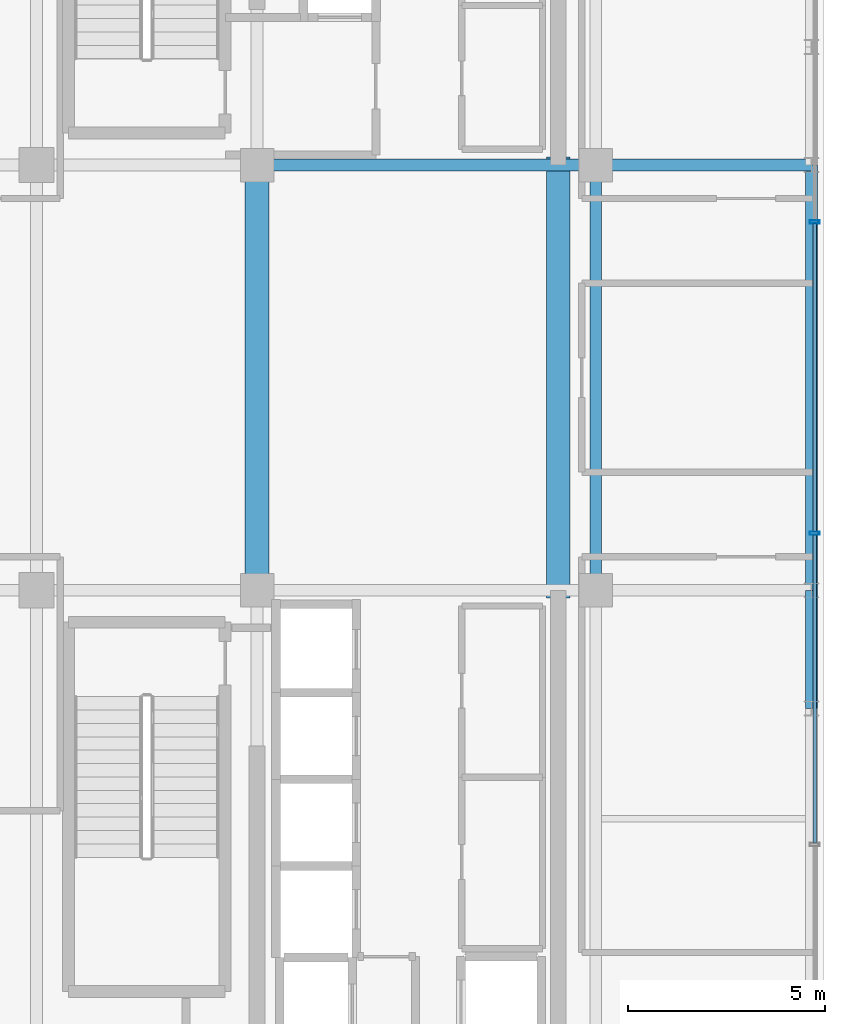
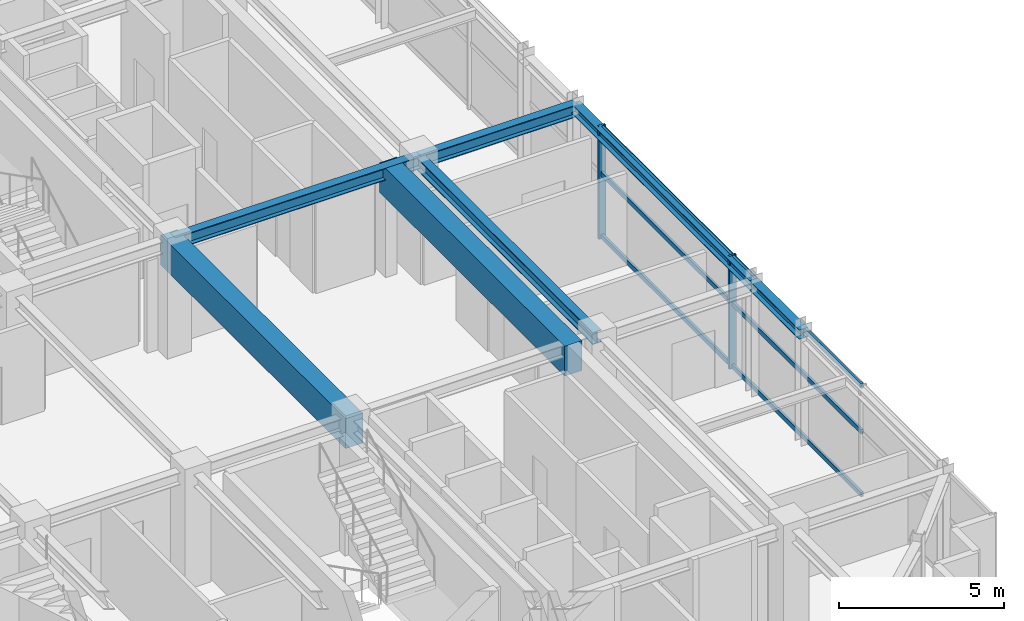
# One storey, part 11 of 25: 8 members, 7 beams, 1 element without a shape of its own.
"""IFC4 building model written with IfcOpenShell, lengths in metres."""

from ifc_helpers import new_model, si_unit, direction, frame, origin, origin_2d, place, context, subcontext, project, spatial, rectangle, hollow_rectangle, i_section, extrude, source, transform, mapped, material, material_profile, profile_set, type_object, element, aggregate, save


model = new_model("IFC4")

# Units and contexts
model_context = context("Model", 3, precision=1e-05, world=origin(), true_north=direction((0.0, 1.0)))
body_context = subcontext(model_context, "Body", "Model", "MODEL_VIEW")
ifc_project = project(units=[si_unit("LENGTHUNIT", "METRE"), si_unit("AREAUNIT", "SQUARE_METRE"), si_unit("VOLUMEUNIT", "CUBIC_METRE"), si_unit("PLANEANGLEUNIT", "RADIAN"), si_unit("MASSUNIT", "GRAM", prefix="KILO")], contexts=[model_context])

# Site, building, storey
site_placement = place(None, origin())
site = spatial("IfcSite", under=ifc_project, at=site_placement, CompositionType="ELEMENT")
building_placement = place(site_placement, origin())
building = spatial("IfcBuilding", under=site, at=building_placement, Name="Nahalor Promenade Grand Hotel", CompositionType="ELEMENT")
storey_placement = place(building_placement, frame((0.0, 0.0, 338.550048828125)))
storey = spatial("IfcBuildingStorey", under=building, at=storey_placement, Name="L87", CompositionType="ELEMENT", Elevation=338.550048828125)

# Beams
ifc_material_1 = material(Name="Concrete B-60 (C50/60)", Category="concrete")
ifc_material_profile_1 = material_profile(ifc_material_1, rectangle(XDim=0.6, YDim=1.1, at=origin_2d()), Name="RC 600x1100")
ifc_profile_set_1 = profile_set([ifc_material_profile_1], Name="Concrete B-60 (C50/60)")
beam_type_1 = type_object("IfcBeamType", Name="Beam-Lintel-RC1100", PredefinedType="LINTEL", material=ifc_profile_set_1)
shared_shape_1 = source(origin(), body_context, "Body", "SweptSolid", [
    extrude(rectangle(XDim=0.6, YDim=1.1, at=origin_2d()), origin(), (0.0, 0.0, 1.0), 11.2001953125),
])
for number, where, z_axis, x_axis, name in (
    (1, (8.39990234375, -5.60009765625, 3.619873046875), (0.0, 1.0, 0.0), (-1.0, 0.0, 0.0), "BM-L87-LINT-W"),
    (2, (16.050048828125, -5.60009765625, 3.619873046875), (0.0, 1.0, 0.0), (-1.0, 0.0, 0.0), "BM-L87-LINT-E"),
):
    element("IfcBeam", number, at=place(storey_placement, frame(where, z_axis=z_axis, x_axis=x_axis)), inside=storey, type_object=beam_type_1, Name=name, PredefinedType="LINTEL", context=body_context, shape_type="MappedRepresentation", body=[
        mapped(shared_shape_1, transform((0.0, 0.0, 0.0), scale=1.0)),
    ])
ifc_material_2 = material(Name="Steel S355JR", Category="steel")
ifc_material_profile_2 = material_profile(ifc_material_2, i_section(OverallWidth=0.3, OverallDepth=0.45, WebThickness=0.014, FlangeThickness=0.026, at=origin_2d()), Name="HEB 450")
ifc_profile_set_2 = profile_set([ifc_material_profile_2], Name="Steel S355JR")
beam_type_2 = type_object("IfcBeamType", Name="Beam-Girder-HEB450", PredefinedType="BEAM", material=ifc_profile_set_2)
shared_shape_2 = source(origin(), body_context, "Body", "SweptSolid", [
    extrude(i_section(OverallWidth=0.3, OverallDepth=0.45, WebThickness=0.014, FlangeThickness=0.026, at=origin_2d()), origin(), (0.0, 0.0, 1.0), 8.60009765625),
])
beam_1_placement = place(storey_placement, frame((8.39990234375, 5.39990234375, 3.945068359375), z_axis=(1.0, 0.0, 0.0), x_axis=(0.0, 1.0, 0.0)))
element("IfcBeam", 3, at=beam_1_placement, inside=storey, type_object=beam_type_2, Name="BM-L87-GX-2-5", PredefinedType="BEAM", context=body_context, shape_type="MappedRepresentation", body=[
    mapped(shared_shape_2, transform((0.0, 0.0, 0.0), scale=1.0)),
])
shared_shape_3 = source(origin(), body_context, "Body", "SweptSolid", [
    extrude(i_section(OverallWidth=0.3, OverallDepth=0.45, WebThickness=0.014, FlangeThickness=0.026, at=origin_2d()), origin(), (0.0, 0.0, 1.0), 10.7998046875),
])
beam_2_placement = place(storey_placement, frame((17.0, -5.39990234375, 3.945068359375), z_axis=(0.0, 1.0, 0.0), x_axis=(-1.0, 0.0, 0.0)))
element("IfcBeam", 4, at=beam_2_placement, inside=storey, type_object=beam_type_2, Name="BM-L87-GY-5-2", PredefinedType="BEAM", context=body_context, shape_type="MappedRepresentation", body=[
    mapped(shared_shape_3, transform((0.0, 0.0, 0.0), scale=1.0)),
])
shared_shape_4 = source(origin(), body_context, "Body", "SweptSolid", [
    extrude(i_section(OverallWidth=0.3, OverallDepth=0.45, WebThickness=0.014, FlangeThickness=0.026, at=origin_2d()), origin(), (0.0, 0.0, 1.0), 5.47998046875),
])
beam_3_placement = place(storey_placement, frame((17.0, 5.39990234375, 3.945068359375), z_axis=(1.0, 0.0, 0.0), x_axis=(0.0, 1.0, 0.0)))
element("IfcBeam", 5, at=beam_3_placement, inside=storey, type_object=beam_type_2, Name="BM-L87-GX-2-6", PredefinedType="BEAM", context=body_context, shape_type="MappedRepresentation", body=[
    mapped(shared_shape_4, transform((0.0, 0.0, 0.0), scale=1.0)),
])
ifc_material_profile_3 = material_profile(ifc_material_2, i_section(OverallWidth=0.3, OverallDepth=0.36, WebThickness=0.0125, FlangeThickness=0.0225, at=origin_2d()), Name="HEB 360")
ifc_profile_set_3 = profile_set([ifc_material_profile_3], Name="Steel S355JR")
beam_type_3 = type_object("IfcBeamType", Name="Beam-Spandrel-HEB360", PredefinedType="SPANDREL", material=ifc_profile_set_3)
shared_shape_5 = source(origin(), body_context, "Body", "SweptSolid", [
    extrude(i_section(OverallWidth=0.3, OverallDepth=0.36, WebThickness=0.0125, FlangeThickness=0.0225, at=origin_2d()), origin(), (0.0, 0.0, 1.0), 3.0),
])
beam_4_placement = place(storey_placement, frame((22.47998046875, -8.39990234375, 3.989990234375), z_axis=(0.0, 1.0, 0.0), x_axis=(-1.0, 0.0, 0.0)))
element("IfcBeam", 6, at=beam_4_placement, inside=storey, type_object=beam_type_3, Name="BM-L87-SP-E-1", PredefinedType="SPANDREL", context=body_context, shape_type="MappedRepresentation", body=[
    mapped(shared_shape_5, transform((0.0, 0.0, 0.0), scale=1.0)),
])
shared_shape_6 = source(origin(), body_context, "Body", "SweptSolid", [
    extrude(i_section(OverallWidth=0.3, OverallDepth=0.36, WebThickness=0.0125, FlangeThickness=0.0225, at=origin_2d()), origin(), (0.0, 0.0, 1.0), 10.7998046875),
])
beam_5_placement = place(storey_placement, frame((22.47998046875, -5.39990234375, 3.989990234375), z_axis=(0.0, 1.0, 0.0), x_axis=(-1.0, 0.0, 0.0)))
element("IfcBeam", 7, at=beam_5_placement, inside=storey, type_object=beam_type_3, Name="BM-L87-SP-E-2", PredefinedType="SPANDREL", context=body_context, shape_type="MappedRepresentation", body=[
    mapped(shared_shape_6, transform((0.0, 0.0, 0.0), scale=1.0)),
])

# Curtain wall, members
ifc_material_3 = material(Name="Anodised Bronze Aluminium EN AW-6063 T6", Category="aluminium")
curtain_wall_type = type_object("IfcCurtainWallType", Name="CW5 Sky-Lobby & Observation Panoramic Curtain Wall", PredefinedType="USERDEFINED", material=ifc_material_3)
curtain_wall_placement = place(storey_placement, origin())
curtain_wall = element("IfcCurtainWall", 8, at=curtain_wall_placement, inside=storey, type_object=curtain_wall_type, Name="L87 Curtain Wall CW-L87-E-1", ObjectType="UNITISED_CURTAIN_WALL", PredefinedType="USERDEFINED")
ifc_material_profile_4 = material_profile(ifc_material_3, hollow_rectangle(XDim=0.085, YDim=0.25, WallThickness=0.006, at=origin_2d()), Name="CWM 85x250x6")
ifc_profile_set_4 = profile_set([ifc_material_profile_4], Name="Anodised Bronze Aluminium EN AW-6063 T6")
member_type_1 = type_object("IfcMemberType", Name="CWM5 Panoramic Deep Mullion 85x250", PredefinedType="MULLION", material=ifc_profile_set_4)
shared_shape_7 = source(origin(), body_context, "Body", "SweptSolid", [
    extrude(hollow_rectangle(XDim=0.085, YDim=0.25, WallThickness=0.006, at=origin_2d()), origin(), (0.0, 0.0, 1.0), 4.169921875),
])
member_1_placement = place(storey_placement, frame((22.56005859375, -3.951904296875, 0.0), z_axis=(0.0, 0.0, 1.0), x_axis=(0.0, 1.0, 0.0)))
member_1 = element("IfcMember", 9, at=member_1_placement, type_object=member_type_1, Name="CW-L87-E-1 Mullion 2", PredefinedType="MULLION", context=body_context, shape_type="MappedRepresentation", body=[
    mapped(shared_shape_7, transform((0.0, 0.0, 0.0), scale=1.0)),
])
member_2_placement = place(storey_placement, frame((22.56005859375, 3.951904296875, 0.0), z_axis=(0.0, 0.0, 1.0), x_axis=(0.0, 1.0, 0.0)))
member_2 = element("IfcMember", 10, at=member_2_placement, type_object=member_type_1, Name="CW-L87-E-1 Mullion 3", PredefinedType="MULLION", context=body_context, shape_type="MappedRepresentation", body=[
    mapped(shared_shape_7, transform((0.0, 0.0, 0.0), scale=1.0)),
])
ifc_material_profile_5 = material_profile(ifc_material_3, hollow_rectangle(XDim=0.085, YDim=0.17, WallThickness=0.005, at=origin_2d()), Name="CWT 85x170x5")
ifc_profile_set_5 = profile_set([ifc_material_profile_5], Name="Anodised Bronze Aluminium EN AW-6063 T6")
member_type_2 = type_object("IfcMemberType", Name="CWT5 Panoramic Transom 85x170", PredefinedType="USERDEFINED", material=ifc_profile_set_5)
shared_shape_8 = source(origin(), body_context, "Body", "SweptSolid", [
    extrude(hollow_rectangle(XDim=0.085, YDim=0.17, WallThickness=0.005, at=origin_2d()), origin(), (0.0, 0.0, 1.0), 7.819091796875),
])
member_3_placement = place(storey_placement, frame((22.56005859375, -11.8134765625, 0.0849609375), z_axis=(0.0, 1.0, 0.0), x_axis=(-1.0, 0.0, 0.0)))
member_3 = element("IfcMember", 11, at=member_3_placement, type_object=member_type_2, Name="CW-L87-E-1 Transom 1-0", ObjectType="TRANSOM", PredefinedType="USERDEFINED", context=body_context, shape_type="MappedRepresentation", body=[
    mapped(shared_shape_8, transform((0.0, 0.0, 0.0), scale=1.0)),
])
member_4_placement = place(storey_placement, frame((22.56005859375, -11.8134765625, 2.39990234375), z_axis=(0.0, 1.0, 0.0), x_axis=(-1.0, 0.0, 0.0)))
member_4 = element("IfcMember", 12, at=member_4_placement, type_object=member_type_2, Name="CW-L87-E-1 Transom 1-1", ObjectType="TRANSOM", PredefinedType="USERDEFINED", context=body_context, shape_type="MappedRepresentation", body=[
    mapped(shared_shape_8, transform((0.0, 0.0, 0.0), scale=1.0)),
])
member_5_placement = place(storey_placement, frame((22.56005859375, -11.8134765625, 4.0849609375), z_axis=(0.0, 1.0, 0.0), x_axis=(-1.0, 0.0, 0.0)))
member_5 = element("IfcMember", 13, at=member_5_placement, type_object=member_type_2, Name="CW-L87-E-1 Transom 1-2", ObjectType="TRANSOM", PredefinedType="USERDEFINED", context=body_context, shape_type="MappedRepresentation", body=[
    mapped(shared_shape_8, transform((0.0, 0.0, 0.0), scale=1.0)),
])
shared_shape_9 = source(origin(), body_context, "Body", "SweptSolid", [
    extrude(hollow_rectangle(XDim=0.085, YDim=0.17, WallThickness=0.005, at=origin_2d()), origin(), (0.0, 0.0, 1.0), 7.81884765625),
])
member_6_placement = place(storey_placement, frame((22.56005859375, -3.909423828125, 0.0849609375), z_axis=(0.0, 1.0, 0.0), x_axis=(-1.0, 0.0, 0.0)))
member_6 = element("IfcMember", 14, at=member_6_placement, type_object=member_type_2, Name="CW-L87-E-1 Transom 2-0", ObjectType="TRANSOM", PredefinedType="USERDEFINED", context=body_context, shape_type="MappedRepresentation", body=[
    mapped(shared_shape_9, transform((0.0, 0.0, 0.0), scale=1.0)),
])
member_7_placement = place(storey_placement, frame((22.56005859375, -3.909423828125, 2.39990234375), z_axis=(0.0, 1.0, 0.0), x_axis=(-1.0, 0.0, 0.0)))
member_7 = element("IfcMember", 15, at=member_7_placement, type_object=member_type_2, Name="CW-L87-E-1 Transom 2-1", ObjectType="TRANSOM", PredefinedType="USERDEFINED", context=body_context, shape_type="MappedRepresentation", body=[
    mapped(shared_shape_9, transform((0.0, 0.0, 0.0), scale=1.0)),
])
member_8_placement = place(storey_placement, frame((22.56005859375, -3.909423828125, 4.0849609375), z_axis=(0.0, 1.0, 0.0), x_axis=(-1.0, 0.0, 0.0)))
member_8 = element("IfcMember", 16, at=member_8_placement, type_object=member_type_2, Name="CW-L87-E-1 Transom 2-2", ObjectType="TRANSOM", PredefinedType="USERDEFINED", context=body_context, shape_type="MappedRepresentation", body=[
    mapped(shared_shape_9, transform((0.0, 0.0, 0.0), scale=1.0)),
])
aggregate(curtain_wall, [member_1, member_2, member_3, member_4, member_5, member_6, member_7, member_8])

save(model, "model.ifc")
